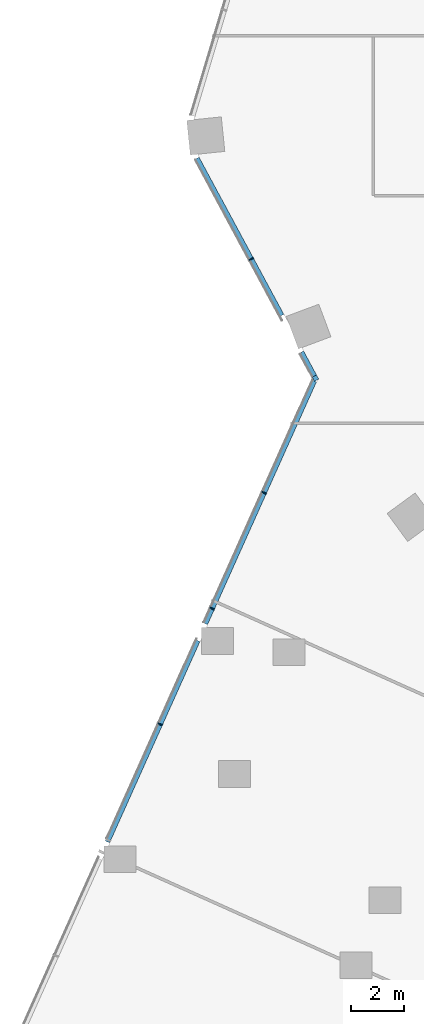
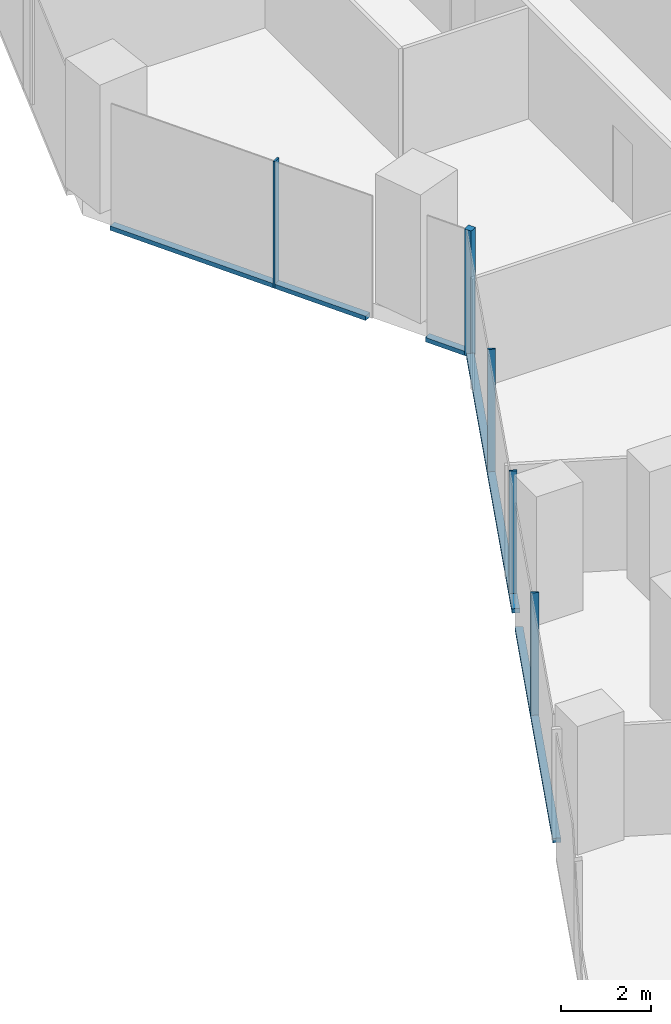
# One storey, part 6 of 34: 9 members, 2 elements without a shape of their own.
"""IFC4 building model written with IfcOpenShell, lengths in metres."""

from ifc_helpers import new_model, si_unit, direction, frame, origin, origin_2d, place, context, subcontext, project, spatial, rectangle, extrude, material, material_profile, profile_set, type_object, element, aggregate, save


model = new_model("IFC4")

# Units and contexts
model_context = context("Model", 3, precision=1e-05, world=origin(), true_north=direction((0.0, 1.0)))
body_context = subcontext(model_context, "Body", "Model", "MODEL_VIEW")
ifc_project = project(units=[si_unit("LENGTHUNIT", "METRE"), si_unit("AREAUNIT", "SQUARE_METRE"), si_unit("VOLUMEUNIT", "CUBIC_METRE"), si_unit("PLANEANGLEUNIT", "RADIAN"), si_unit("MASSUNIT", "GRAM", prefix="KILO")], contexts=[model_context])

# Site, building, storey
site_placement = place(None, origin())
site = spatial("IfcSite", under=ifc_project, at=site_placement, CompositionType="ELEMENT")
building_placement = place(site_placement, origin())
building = spatial("IfcBuilding", under=site, at=building_placement, Name="Orlundy Tower", CompositionType="ELEMENT")
storey_placement = place(building_placement, frame((0.0, 0.0, 134.199951171875)))
storey = spatial("IfcBuildingStorey", under=building, at=storey_placement, Name="L34", CompositionType="ELEMENT", Elevation=134.199951171875)

# Curtain wall, member
ifc_material_1 = material(Name="Aluminium bronze anodised", Category="aluminium")
curtain_wall_type = type_object("IfcCurtainWallType", Name="CW1 wall", PredefinedType="NOTDEFINED", material=ifc_material_1)
curtain_wall_1_placement = place(storey_placement, origin())
curtain_wall_1 = element("IfcCurtainWall", 1, at=curtain_wall_1_placement, inside=storey, type_object=curtain_wall_type, Name="CW1 run 01", PredefinedType="NOTDEFINED")
ifc_material_2 = material(Name="Aluminium bronze anodised", Category="aluminium")
ifc_material_profile_1 = material_profile(ifc_material_2, rectangle(XDim=0.179931640625, YDim=0.179931640625, at=origin_2d()), Name="CW1 corner post 180x180")
ifc_profile_set_1 = profile_set([ifc_material_profile_1], Name="Aluminium bronze anodised")
member_type_1 = type_object("IfcMemberType", Name="CW1 corner post 180x180", PredefinedType="MULLION", material=ifc_profile_set_1)
member_1_placement = place(storey_placement, frame((-27.545166015625, -12.314697265625, -0.39990234375), z_axis=(0.0, 0.0, 1.0), x_axis=(-0.880188659482, -0.4746239814, 0.0)))
member_1 = element("IfcMember", 2, at=member_1_placement, type_object=member_type_1, Name="CW1 mullion 7", PredefinedType="MULLION", context=body_context, shape_type="SweptSolid", body=[
    extrude(rectangle(XDim=0.179931640625, YDim=0.179931640625, at=origin_2d()), origin(), (0.0, 0.0, 1.0), 3.449951171875),
])

# Curtain wall, members
curtain_wall_2_placement = place(storey_placement, origin())
curtain_wall_2 = element("IfcCurtainWall", 3, at=curtain_wall_2_placement, inside=storey, type_object=curtain_wall_type, Name="CW1 run 00", PredefinedType="NOTDEFINED")
ifc_material_3 = material(Name="Aluminium bronze anodised", Category="aluminium")
ifc_material_profile_2 = material_profile(ifc_material_3, rectangle(XDim=0.179931640625, YDim=0.050048828125, at=origin_2d()), Name="CW1 mullion 50x180")
ifc_profile_set_2 = profile_set([ifc_material_profile_2], Name="Aluminium bronze anodised")
member_type_2 = type_object("IfcMemberType", Name="CW1 mullion 50x180", PredefinedType="MULLION", material=ifc_profile_set_2)
member_2_placement = place(storey_placement, frame((-33.36767578125, -25.28955078125, -0.39990234375), z_axis=(0.0, 0.0, 1.0), x_axis=(-0.912353169834, 0.409404071174, 0.0)))
member_2 = element("IfcMember", 4, at=member_2_placement, type_object=member_type_2, Name="CW1 mullion 4", PredefinedType="MULLION", context=body_context, shape_type="SweptSolid", body=[
    extrude(rectangle(XDim=0.179931640625, YDim=0.050048828125, at=origin_2d()), origin(), (0.0, 0.0, 1.0), 3.449951171875),
])
member_3_placement = place(storey_placement, frame((-31.4208984375, -20.951171875, -0.39990234375), z_axis=(0.0, 0.0, 1.0), x_axis=(-0.912353169834, 0.409404071174, 0.0)))
member_3 = element("IfcMember", 5, at=member_3_placement, type_object=member_type_2, Name="CW1 mullion 5", PredefinedType="MULLION", context=body_context, shape_type="SweptSolid", body=[
    extrude(rectangle(XDim=0.179931640625, YDim=0.050048828125, at=origin_2d()), origin(), (0.0, 0.0, 1.0), 3.449951171875),
])
member_4_placement = place(storey_placement, frame((-29.473876953125, -16.612548828125, -0.39990234375), z_axis=(0.0, 0.0, 1.0), x_axis=(-0.912353169834, 0.409404071174, 0.0)))
member_4 = element("IfcMember", 6, at=member_4_placement, type_object=member_type_2, Name="CW1 mullion 6", PredefinedType="MULLION", context=body_context, shape_type="SweptSolid", body=[
    extrude(rectangle(XDim=0.179931640625, YDim=0.050048828125, at=origin_2d()), origin(), (0.0, 0.0, 1.0), 3.449951171875),
])

# Member
member_5_placement = place(storey_placement, frame((-29.95361328125, -7.84814453125, -0.39990234375), z_axis=(0.0, 0.0, 1.0), x_axis=(-0.880188659482, -0.4746239814, 0.0)))
member_5 = element("IfcMember", 7, at=member_5_placement, type_object=member_type_2, Name="CW1 mullion 8", PredefinedType="MULLION", context=body_context, shape_type="SweptSolid", body=[
    extrude(rectangle(XDim=0.179931640625, YDim=0.050048828125, at=origin_2d()), origin(), (0.0, 0.0, 1.0), 3.449951171875),
])

ifc_material_4 = material(Name="Aluminium bronze anodised", Category="aluminium")
ifc_material_profile_3 = material_profile(ifc_material_4, rectangle(XDim=0.179931640625, YDim=0.1201171875, at=origin_2d()), Name="CW1 transom 180x120")
ifc_profile_set_3 = profile_set([ifc_material_profile_3], Name="Aluminium bronze anodised")
member_type_3 = type_object("IfcMemberType", Name="CW1 transom 180x120", PredefinedType="USERDEFINED", material=ifc_profile_set_3)
member_6_placement = place(storey_placement, frame((-35.344970703125, -29.696044921875, -0.33984375), z_axis=(0.409415362289, 0.91234810304, 0.0), x_axis=(-0.91234810304, 0.409415362289, 0.0)))
member_6 = element("IfcMember", 8, at=member_6_placement, type_object=member_type_3, Name="CW1 transom", ObjectType="TRANSOM", PredefinedType="USERDEFINED", context=body_context, shape_type="SweptSolid", body=[
    extrude(rectangle(XDim=0.179931640625, YDim=0.1201171875, at=origin_2d()), origin(), (0.0, 0.0, 1.0), 8.267822265625),
])

member_7_placement = place(storey_placement, frame((-31.67431640625, -21.51611328125, -0.33984375), z_axis=(0.40940244043, 0.912353901603, 0.0), x_axis=(-0.912353901603, 0.40940244043, 0.0)))
member_7 = element("IfcMember", 9, at=member_7_placement, type_object=member_type_3, Name="CW1 transom", ObjectType="TRANSOM", PredefinedType="USERDEFINED", context=body_context, shape_type="SweptSolid", body=[
    extrude(rectangle(XDim=0.179931640625, YDim=0.1201171875, at=origin_2d()), origin(), (0.0, 0.0, 1.0), 9.971923828125),
])

aggregate(curtain_wall_2, [member_2, member_3, member_4, member_6, member_7])

member_8_placement = place(storey_placement, frame((-27.587890625, -12.2353515625, -0.33984375), z_axis=(-0.474768358729, 0.880110791634, 0.0), x_axis=(-0.880110791634, -0.474768358729, 0.0)))
member_8 = element("IfcMember", 10, at=member_8_placement, type_object=member_type_3, Name="CW1 transom", ObjectType="TRANSOM", PredefinedType="USERDEFINED", context=body_context, shape_type="SweptSolid", body=[
    extrude(rectangle(XDim=0.179931640625, YDim=0.1201171875, at=origin_2d()), origin(), (0.0, 0.0, 1.0), 1.0234375),
])

member_9_placement = place(storey_placement, frame((-28.814208984375, -9.96142578125, -0.33984375), z_axis=(-0.474628470518, 0.8801862388, 0.0), x_axis=(-0.8801862388, -0.474628470518, 0.0)))
member_9 = element("IfcMember", 11, at=member_9_placement, type_object=member_type_3, Name="CW1 transom", ObjectType="TRANSOM", PredefinedType="USERDEFINED", context=body_context, shape_type="SweptSolid", body=[
    extrude(rectangle(XDim=0.179931640625, YDim=0.1201171875, at=origin_2d()), origin(), (0.0, 0.0, 1.0), 6.691162109375),
])

aggregate(curtain_wall_1, [member_1, member_5, member_8, member_9])

save(model, "model.ifc")
